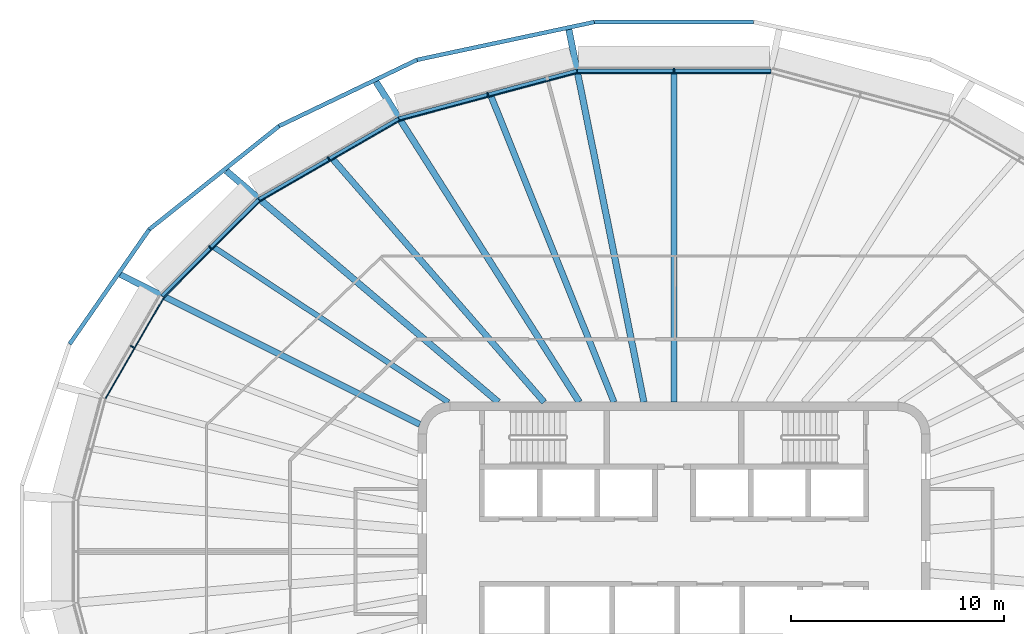
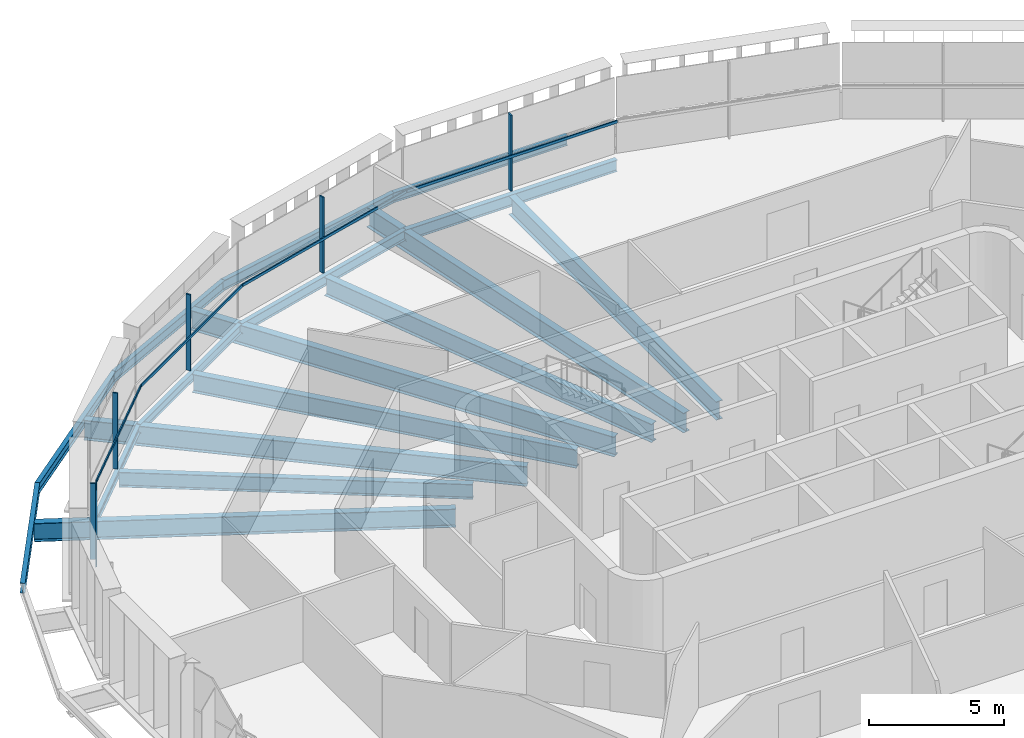
# One storey, part 5 of 17: 17 beams, 10 members, 5 elements without a shape of their own.
"""IFC4 building model written with IfcOpenShell, lengths in metres."""

from ifc_helpers import new_model, si_unit, direction, frame, origin, origin_2d, place, context, subcontext, project, spatial, rectangle, i_section, extrude, material, layer, layer_set, material_profile, profile_set, type_object, element, aggregate, save


model = new_model("IFC4")

# Units and contexts
model_context = context("Model", 3, precision=1e-05, world=origin(), true_north=direction((0.0, 1.0)))
body_context = subcontext(model_context, "Body", "Model", "MODEL_VIEW")
ifc_project = project(units=[si_unit("LENGTHUNIT", "METRE"), si_unit("AREAUNIT", "SQUARE_METRE"), si_unit("VOLUMEUNIT", "CUBIC_METRE"), si_unit("PLANEANGLEUNIT", "RADIAN"), si_unit("MASSUNIT", "GRAM", prefix="KILO")], contexts=[model_context])

# Site, building, storey
site_placement = place(None, origin())
site = spatial("IfcSite", under=ifc_project, at=site_placement, CompositionType="ELEMENT")
building_placement = place(site_placement, origin())
building = spatial("IfcBuilding", under=site, at=building_placement, Name="Sahrelin Media Tower", CompositionType="ELEMENT")
storey_placement = place(building_placement, frame((0.0, 0.0, 291.0)))
storey = spatial("IfcBuildingStorey", under=building, at=storey_placement, Name="L64", CompositionType="ELEMENT", Elevation=291.0)

# Beams
ifc_material_1 = material(Name="Steel S355", Category="steel")
ifc_material_profile_1 = material_profile(ifc_material_1, i_section(OverallWidth=0.17138671875, OverallDepth=0.35498046875, WebThickness=0.00732421875, FlangeThickness=0.011474609375, FilletRadius=0.01025390625, at=origin_2d()), Name="UB 356x171x51")
ifc_profile_set_1 = profile_set([ifc_material_profile_1], Name="Steel S355")
beam_type_1 = type_object("IfcBeamType", Name="Edge beam EB3", PredefinedType="BEAM", material=ifc_profile_set_1)
beam_1_placement = place(storey_placement, frame((-23.9794921875, 11.97705078125, -0.327392578125), z_axis=(0.707106781187, 0.707106781187, 0.0), x_axis=(-0.707106781187, 0.707106781187, 0.0)))
element("IfcBeam", 1, at=beam_1_placement, inside=storey, type_object=beam_type_1, Name="Edge beam L64-13", PredefinedType="BEAM", context=body_context, shape_type="SweptSolid", body=[
    extrude(i_section(OverallWidth=0.17138671875, OverallDepth=0.35498046875, WebThickness=0.00732421875, FlangeThickness=0.011474609375, FilletRadius=0.01025390625, at=origin_2d()), origin(), (0.0, 0.0, 1.0), 6.381103515625),
])
ifc_material_profile_2 = material_profile(ifc_material_1, i_section(OverallWidth=0.177978515625, OverallDepth=0.406494140625, WebThickness=0.0078125, FlangeThickness=0.0126953125, FilletRadius=0.01025390625, at=origin_2d()), Name="UB 406x178x60")
ifc_profile_set_2 = profile_set([ifc_material_profile_2], Name="Steel S355")
beam_type_2 = type_object("IfcBeamType", Name="Edge beam EB4", PredefinedType="BEAM", material=ifc_profile_set_2)
beam_2_placement = place(storey_placement, frame((-19.4443359375, 16.5068359375, -0.353271484375), z_axis=(0.866031418311, 0.499989582389, 0.0), x_axis=(-0.499989582389, 0.866031418311, 0.0)))
element("IfcBeam", 2, at=beam_2_placement, inside=storey, type_object=beam_type_2, Name="Edge beam L64-14", PredefinedType="BEAM", context=body_context, shape_type="SweptSolid", body=[
    extrude(i_section(OverallWidth=0.177978515625, OverallDepth=0.406494140625, WebThickness=0.0078125, FlangeThickness=0.0126953125, FilletRadius=0.01025390625, at=origin_2d()), origin(), (0.0, 0.0, 1.0), 7.542236328125),
])
ifc_material_profile_3 = material_profile(ifc_material_1, i_section(OverallWidth=0.1904296875, OverallDepth=0.45703125, WebThickness=0.009033203125, FlangeThickness=0.014404296875, FilletRadius=0.01025390625, at=origin_2d()), Name="UB 457x191x74")
ifc_profile_set_3 = profile_set([ifc_material_profile_3], Name="Steel S355")
beam_type_3 = type_object("IfcBeamType", Name="Edge beam EB5", PredefinedType="BEAM", material=ifc_profile_set_3)
beam_3_placement = place(storey_placement, frame((-12.885986328125, 20.288818359375, -0.37841796875), z_axis=(0.965926676494, 0.258815872073, 0.0), x_axis=(-0.258815872073, 0.965926676494, 0.0)))
element("IfcBeam", 3, at=beam_3_placement, inside=storey, type_object=beam_type_3, Name="Edge beam L64-15", PredefinedType="BEAM", context=body_context, shape_type="SweptSolid", body=[
    extrude(i_section(OverallWidth=0.1904296875, OverallDepth=0.45703125, WebThickness=0.009033203125, FlangeThickness=0.014404296875, FilletRadius=0.01025390625, at=origin_2d()), origin(), (0.0, 0.0, 1.0), 8.615966796875),
])
ifc_material_profile_4 = material_profile(ifc_material_1, i_section(OverallWidth=0.208740234375, OverallDepth=0.5283203125, WebThickness=0.009521484375, FlangeThickness=0.01318359375, FilletRadius=0.0126953125, at=origin_2d()), Name="UB 533x210x82")
ifc_profile_set_4 = profile_set([ifc_material_profile_4], Name="Steel S355")
beam_type_4 = type_object("IfcBeamType", Name="Edge beam EB6", PredefinedType="BEAM", material=ifc_profile_set_4)
beam_4_placement = place(storey_placement, frame((-4.534912109375, 22.522705078125, -0.4140625), z_axis=(1.0, 0.0, 0.0), x_axis=(0.0, 1.0, 0.0)))
element("IfcBeam", 4, at=beam_4_placement, inside=storey, type_object=beam_type_4, Name="Edge beam L64-16", PredefinedType="BEAM", context=body_context, shape_type="SweptSolid", body=[
    extrude(i_section(OverallWidth=0.208740234375, OverallDepth=0.5283203125, WebThickness=0.009521484375, FlangeThickness=0.01318359375, FilletRadius=0.0126953125, at=origin_2d()), origin(), (0.0, 0.0, 1.0), 9.06982421875),
])

# Curtain wall, member
ifc_material_2 = material(Name="Champagne anodised aluminium 6063-T6", Category="aluminium")
ifc_layer = layer(ifc_material_2, 0.14990234375)
ifc_layer_set = layer_set([ifc_layer], Name="Tower ribbon curtain wall")
curtain_wall_type = type_object("IfcCurtainWallType", Name="Tower ribbon curtain wall", PredefinedType="NOTDEFINED", material=ifc_layer_set)
curtain_wall_1_placement = place(storey_placement, frame((0.0, 22.672607421875, 0.0), z_axis=(0.0, 0.0, 1.0), x_axis=(1.0, 0.0, 0.0)))
curtain_wall_1 = element("IfcCurtainWall", 5, at=curtain_wall_1_placement, inside=storey, type_object=curtain_wall_type, Name="L64:CW:L64-06", PredefinedType="NOTDEFINED")
ifc_material_profile_5 = material_profile(ifc_material_2, rectangle(XDim=0.06005859375, YDim=0.199951171875, at=origin_2d()), Name="Mullion 60x200")
ifc_profile_set_5 = profile_set([ifc_material_profile_5], Name="Champagne anodised aluminium 6063-T6")
member_type_1 = type_object("IfcMemberType", Name="Mullion 60x200 CW1C", PredefinedType="MULLION", material=ifc_profile_set_5)
member_1_placement = place(storey_placement, frame((0.0, 22.552734375, 0.0), z_axis=(0.0, 0.0, 1.0), x_axis=(-1.0, 0.0, 0.0)))
member_1 = element("IfcMember", 6, at=member_1_placement, type_object=member_type_1, Name="L64:CWM:L64-06", PredefinedType="MULLION", context=body_context, shape_type="SweptSolid", body=[
    extrude(rectangle(XDim=0.06005859375, YDim=0.199951171875, at=origin_2d()), origin(), (0.0, 0.0, 1.0), 3.448486328125),
])

curtain_wall_2_placement = place(storey_placement, frame((-8.763427734375, 21.548828125, 0.0), z_axis=(0.0, 0.0, 1.0), x_axis=(1.0, 0.0, 0.0)))
curtain_wall_2 = element("IfcCurtainWall", 7, at=curtain_wall_2_placement, inside=storey, type_object=curtain_wall_type, Name="L64:CW:L64-07", PredefinedType="NOTDEFINED")
member_2_placement = place(storey_placement, frame((-8.732421875, 21.432861328125, 0.0), z_axis=(0.0, 0.0, 1.0), x_axis=(-0.965925826289, -0.258819045103, 0.0)))
member_2 = element("IfcMember", 8, at=member_2_placement, type_object=member_type_1, Name="L64:CWM:L64-07", PredefinedType="MULLION", context=body_context, shape_type="SweptSolid", body=[
    extrude(rectangle(XDim=0.06005859375, YDim=0.199951171875, at=origin_2d()), origin(), (0.0, 0.0, 1.0), 3.448486328125),
])

curtain_wall_3_placement = place(storey_placement, frame((-16.25341796875, 18.522216796875, 0.0), z_axis=(0.0, 0.0, 1.0), x_axis=(1.0, 0.0, 0.0)))
curtain_wall_3 = element("IfcCurtainWall", 9, at=curtain_wall_3_placement, inside=storey, type_object=curtain_wall_type, Name="L64:CW:L64-08", PredefinedType="NOTDEFINED")
member_3_placement = place(storey_placement, frame((-16.193603515625, 18.418212890625, 0.0), z_axis=(0.0, 0.0, 1.0), x_axis=(-0.866026276448, -0.4999984885, 0.0)))
member_3 = element("IfcMember", 10, at=member_3_placement, type_object=member_type_1, Name="L64:CWM:L64-08", PredefinedType="MULLION", context=body_context, shape_type="SweptSolid", body=[
    extrude(rectangle(XDim=0.06005859375, YDim=0.199951171875, at=origin_2d()), origin(), (0.0, 0.0, 1.0), 3.448486328125),
])

curtain_wall_4_placement = place(storey_placement, frame((-21.829345703125, 14.339111328125, 0.0), z_axis=(0.0, 0.0, 1.0), x_axis=(1.0, 0.0, 0.0)))
curtain_wall_4 = element("IfcCurtainWall", 11, at=curtain_wall_4_placement, inside=storey, type_object=curtain_wall_type, Name="L64:CW:L64-09", PredefinedType="NOTDEFINED")
member_4_placement = place(storey_placement, frame((-21.744384765625, 14.25439453125, 0.0), z_axis=(0.0, 0.0, 1.0), x_axis=(-0.707106781187, -0.707106781187, 0.0)))
member_4 = element("IfcMember", 12, at=member_4_placement, type_object=member_type_1, Name="L64:CWM:L64-09", PredefinedType="MULLION", context=body_context, shape_type="SweptSolid", body=[
    extrude(rectangle(XDim=0.06005859375, YDim=0.199951171875, at=origin_2d()), origin(), (0.0, 0.0, 1.0), 3.448486328125),
])

curtain_wall_5_placement = place(storey_placement, frame((-25.49658203125, 9.656494140625, 0.0), z_axis=(0.0, 0.0, 1.0), x_axis=(1.0, 0.0, 0.0)))
curtain_wall_5 = element("IfcCurtainWall", 13, at=curtain_wall_5_placement, inside=storey, type_object=curtain_wall_type, Name="L64:CW:L64-10", PredefinedType="NOTDEFINED")
member_5_placement = place(storey_placement, frame((-25.392822265625, 9.596435546875, 0.0), z_axis=(0.0, 0.0, 1.0), x_axis=(-0.500003022996, -0.86602365845, 0.0)))
member_5 = element("IfcMember", 14, at=member_5_placement, type_object=member_type_1, Name="L64:CWM:L64-10", PredefinedType="MULLION", context=body_context, shape_type="SweptSolid", body=[
    extrude(rectangle(XDim=0.06005859375, YDim=0.199951171875, at=origin_2d()), origin(), (0.0, 0.0, 1.0), 3.448486328125),
])

# Beams
ifc_material_profile_6 = material_profile(ifc_material_1, i_section(OverallWidth=0.291748046875, OverallDepth=0.8349609375, WebThickness=0.013916015625, FlangeThickness=0.018798828125, FilletRadius=0.017822265625, at=origin_2d()), Name="UB 838x292x176")
ifc_profile_set_6 = profile_set([ifc_material_profile_6], Name="Steel S355")
beam_type_5 = type_object("IfcBeamType", Name="Radial primary beam PB10", PredefinedType="BEAM", material=ifc_profile_set_6)
beam_5_placement = place(storey_placement, frame((-11.918701171875, 5.961181640625, -0.5673828125), z_axis=(-0.894364961322, 0.447338033214, 0.0), x_axis=(-0.447338033214, -0.894364961322, 0.0)))
element("IfcBeam", 15, at=beam_5_placement, inside=storey, type_object=beam_type_5, Name="Radial beam L64-10", PredefinedType="BEAM", context=body_context, shape_type="SweptSolid", body=[
    extrude(i_section(OverallWidth=0.291748046875, OverallDepth=0.8349609375, WebThickness=0.013916015625, FlangeThickness=0.018798828125, FilletRadius=0.017822265625, at=origin_2d()), origin(), (0.0, 0.0, 1.0), 15.695068359375),
])
ifc_material_profile_7 = material_profile(ifc_material_1, i_section(OverallWidth=0.30322265625, OverallDepth=0.903076171875, WebThickness=0.01513671875, FlangeThickness=0.020263671875, FilletRadius=0.01904296875, at=origin_2d()), Name="UB 914x305x201")
ifc_profile_set_7 = profile_set([ifc_material_profile_7], Name="Steel S355")
beam_type_6 = type_object("IfcBeamType", Name="Radial primary beam PB11", PredefinedType="BEAM", material=ifc_profile_set_7)
beam_6_placement = place(storey_placement, frame((-1.41064453125, 7.0, -0.6015625), z_axis=(-0.197562488047, 0.980290295431, 0.0), x_axis=(-0.980290295431, -0.197562488047, 0.0)))
element("IfcBeam", 16, at=beam_6_placement, inside=storey, type_object=beam_type_6, Name="Radial beam L64-07", PredefinedType="BEAM", context=body_context, shape_type="SweptSolid", body=[
    extrude(i_section(OverallWidth=0.30322265625, OverallDepth=0.903076171875, WebThickness=0.01513671875, FlangeThickness=0.020263671875, FilletRadius=0.01904296875, at=origin_2d()), origin(), (0.0, 0.0, 1.0), 17.818603515625),
])
beam_7_placement = place(storey_placement, frame((-4.44091796875, 7.0, -0.6015625), z_axis=(-0.535704376598, 0.844405602121, 0.0), x_axis=(-0.844405602121, -0.535704376598, 0.0)))
element("IfcBeam", 17, at=beam_7_placement, inside=storey, type_object=beam_type_6, Name="Radial beam L64-08", PredefinedType="BEAM", context=body_context, shape_type="SweptSolid", body=[
    extrude(i_section(OverallWidth=0.30322265625, OverallDepth=0.903076171875, WebThickness=0.01513671875, FlangeThickness=0.020263671875, FilletRadius=0.01904296875, at=origin_2d()), origin(), (0.0, 0.0, 1.0), 17.78662109375),
])
beam_8_placement = place(storey_placement, frame((-8.23388671875, 7.0, -0.6015625), z_axis=(-0.761882487724, 0.647715273017, 0.0), x_axis=(-0.647715273017, -0.761882487724, 0.0)))
element("IfcBeam", 18, at=beam_8_placement, inside=storey, type_object=beam_type_6, Name="Radial beam L64-09", PredefinedType="BEAM", context=body_context, shape_type="SweptSolid", body=[
    extrude(i_section(OverallWidth=0.30322265625, OverallDepth=0.903076171875, WebThickness=0.01513671875, FlangeThickness=0.020263671875, FilletRadius=0.01904296875, at=origin_2d()), origin(), (0.0, 0.0, 1.0), 16.748291015625),
])
ifc_material_profile_8 = material_profile(ifc_material_1, i_section(OverallWidth=0.291748046875, OverallDepth=0.8349609375, WebThickness=0.013916015625, FlangeThickness=0.018798828125, FilletRadius=0.017822265625, at=origin_2d()), Name="UB 838x292x176")
ifc_profile_set_8 = profile_set([ifc_material_profile_8], Name="Steel S355")
beam_type_7 = type_object("IfcBeamType", Name="Radial secondary beam SB10", PredefinedType="BEAM", material=ifc_profile_set_8)
beam_9_placement = place(storey_placement, frame((0.0, 7.0, -0.5673828125), z_axis=(0.0, 1.0, 0.0), x_axis=(-1.0, 0.0, 0.0)))
element("IfcBeam", 19, at=beam_9_placement, inside=storey, type_object=beam_type_7, Name="Secondary beam L64-05", PredefinedType="BEAM", context=body_context, shape_type="SweptSolid", body=[
    extrude(i_section(OverallWidth=0.291748046875, OverallDepth=0.8349609375, WebThickness=0.013916015625, FlangeThickness=0.018798828125, FilletRadius=0.017822265625, at=origin_2d()), origin(), (0.0, 0.0, 1.0), 15.418212890625),
])
beam_10_placement = place(storey_placement, frame((-2.81298828125, 7.0, -0.5673828125), z_axis=(-0.372868678366, 0.927884124605, 0.0), x_axis=(-0.927884124605, -0.372868678366, 0.0)))
element("IfcBeam", 20, at=beam_10_placement, inside=storey, type_object=beam_type_7, Name="Secondary beam L64-06", PredefinedType="BEAM", context=body_context, shape_type="SweptSolid", body=[
    extrude(i_section(OverallWidth=0.291748046875, OverallDepth=0.8349609375, WebThickness=0.013916015625, FlangeThickness=0.018798828125, FilletRadius=0.017822265625, at=origin_2d()), origin(), (0.0, 0.0, 1.0), 15.459716796875),
])
beam_11_placement = place(storey_placement, frame((-6.08740234375, 7.0, -0.5673828125), z_axis=(-0.656204331857, 0.754583245806, 0.0), x_axis=(-0.754583245806, -0.656204331857, 0.0)))
element("IfcBeam", 21, at=beam_11_placement, inside=storey, type_object=beam_type_7, Name="Secondary beam L64-07", PredefinedType="BEAM", context=body_context, shape_type="SweptSolid", body=[
    extrude(i_section(OverallWidth=0.291748046875, OverallDepth=0.8349609375, WebThickness=0.013916015625, FlangeThickness=0.018798828125, FilletRadius=0.017822265625, at=origin_2d()), origin(), (0.0, 0.0, 1.0), 15.100830078125),
])
ifc_material_profile_9 = material_profile(ifc_material_1, i_section(OverallWidth=0.2529296875, OverallDepth=0.677978515625, WebThickness=0.01171875, FlangeThickness=0.01611328125, FilletRadius=0.01513671875, at=origin_2d()), Name="UB 686x254x125")
ifc_profile_set_9 = profile_set([ifc_material_profile_9], Name="Steel S355")
beam_type_8 = type_object("IfcBeamType", Name="Radial secondary beam SB8", PredefinedType="BEAM", material=ifc_profile_set_9)
beam_12_placement = place(storey_placement, frame((-10.572998046875, 6.990478515625, -0.489013671875), z_axis=(-0.834171966274, 0.551504424899, 0.0), x_axis=(-0.551504424899, -0.834171966274, 0.0)))
element("IfcBeam", 22, at=beam_12_placement, inside=storey, type_object=beam_type_8, Name="Secondary beam L64-08", PredefinedType="BEAM", context=body_context, shape_type="SweptSolid", body=[
    extrude(i_section(OverallWidth=0.2529296875, OverallDepth=0.677978515625, WebThickness=0.01171875, FlangeThickness=0.01611328125, FilletRadius=0.01513671875, at=origin_2d()), origin(), (0.0, 0.0, 1.0), 13.18603515625),
])
ifc_material_profile_10 = material_profile(ifc_material_1, i_section(OverallWidth=0.1904296875, OverallDepth=0.45703125, WebThickness=0.009033203125, FlangeThickness=0.014404296875, FilletRadius=0.01025390625, at=origin_2d()), Name="UB 457x191x74")
ifc_profile_set_10 = profile_set([ifc_material_profile_10], Name="Steel S355")
beam_type_9 = type_object("IfcBeamType", Name="Tie chord TC5", PredefinedType="BEAM", material=ifc_profile_set_10)
beam_13_placement = place(storey_placement, frame((3.7333984375, 24.8203125, -0.37841796875), z_axis=(-1.0, 0.0, 0.0), x_axis=(0.0, -1.0, 0.0)))
element("IfcBeam", 23, at=beam_13_placement, inside=storey, type_object=beam_type_9, Name="Tie chord L64-06", PredefinedType="BEAM", context=body_context, shape_type="SweptSolid", body=[
    extrude(i_section(OverallWidth=0.1904296875, OverallDepth=0.45703125, WebThickness=0.009033203125, FlangeThickness=0.014404296875, FilletRadius=0.01025390625, at=origin_2d()), origin(), (0.0, 0.0, 1.0), 7.466796875),
])
beam_14_placement = place(storey_placement, frame((-3.7333984375, 24.8203125, -0.37841796875), z_axis=(-0.977981898463, -0.208689736877, 0.0), x_axis=(0.208689736877, -0.977981898463, 0.0)))
element("IfcBeam", 24, at=beam_14_placement, inside=storey, type_object=beam_type_9, Name="Tie chord L64-07", PredefinedType="BEAM", context=body_context, shape_type="SweptSolid", body=[
    extrude(i_section(OverallWidth=0.1904296875, OverallDepth=0.45703125, WebThickness=0.009033203125, FlangeThickness=0.014404296875, FilletRadius=0.01025390625, at=origin_2d()), origin(), (0.0, 0.0, 1.0), 8.502685546875),
])
beam_15_placement = place(storey_placement, frame((-12.048828125, 23.0458984375, -0.37841796875), z_axis=(-0.901632989359, -0.432501968202, 0.0), x_axis=(0.432501968202, -0.901632989359, 0.0)))
element("IfcBeam", 25, at=beam_15_placement, inside=storey, type_object=beam_type_9, Name="Tie chord L64-08", PredefinedType="BEAM", context=body_context, shape_type="SweptSolid", body=[
    extrude(i_section(OverallWidth=0.1904296875, OverallDepth=0.45703125, WebThickness=0.009033203125, FlangeThickness=0.014404296875, FilletRadius=0.01025390625, at=origin_2d()), origin(), (0.0, 0.0, 1.0), 7.171875),
])
beam_16_placement = place(storey_placement, frame((-18.51513671875, 19.944091796875, -0.37841796875), z_axis=(-0.782262590975, -0.622948825154, 0.0), x_axis=(0.622948825154, -0.782262590975, 0.0)))
element("IfcBeam", 26, at=beam_16_placement, inside=storey, type_object=beam_type_9, Name="Tie chord L64-09", PredefinedType="BEAM", context=body_context, shape_type="SweptSolid", body=[
    extrude(i_section(OverallWidth=0.1904296875, OverallDepth=0.45703125, WebThickness=0.009033203125, FlangeThickness=0.014404296875, FilletRadius=0.01025390625, at=origin_2d()), origin(), (0.0, 0.0, 1.0), 7.78173828125),
])
beam_17_placement = place(storey_placement, frame((-24.6025390625, 15.096435546875, -0.37841796875), z_axis=(-0.570606286012, -0.821223761446, 0.0), x_axis=(0.821223761446, -0.570606286012, 0.0)))
element("IfcBeam", 27, at=beam_17_placement, inside=storey, type_object=beam_type_9, Name="Tie chord L64-10", PredefinedType="BEAM", context=body_context, shape_type="SweptSolid", body=[
    extrude(i_section(OverallWidth=0.1904296875, OverallDepth=0.45703125, WebThickness=0.009033203125, FlangeThickness=0.014404296875, FilletRadius=0.01025390625, at=origin_2d()), origin(), (0.0, 0.0, 1.0), 6.54248046875),
])

# Member
ifc_material_profile_11 = material_profile(ifc_material_2, rectangle(XDim=0.050048828125, YDim=0.1201171875, at=origin_2d()), Name="Transom 50x120")
ifc_profile_set_11 = profile_set([ifc_material_profile_11], Name="Champagne anodised aluminium 6063-T6")
member_type_2 = type_object("IfcMemberType", Name="Transom 50x120 CW1C", PredefinedType="USERDEFINED", material=ifc_profile_set_11)
member_6_placement = place(storey_placement, frame((4.51904296875, 22.427734375, 1.60009765625), z_axis=(-1.0, 0.0, 0.0), x_axis=(0.0, -1.0, 0.0)))
member_6 = element("IfcMember", 28, at=member_6_placement, type_object=member_type_2, Name="L64:CWT:L64-06", ObjectType="TRANSOM", PredefinedType="USERDEFINED", context=body_context, shape_type="SweptSolid", body=[
    extrude(rectangle(XDim=0.050048828125, YDim=0.1201171875, at=origin_2d()), origin(), (0.0, 0.0, 1.0), 9.0380859375),
])

aggregate(curtain_wall_1, [member_1, member_6])

member_7_placement = place(storey_placement, frame((-4.553955078125, 22.423095703125, 1.60009765625), z_axis=(-0.965925074938, -0.258821849168, 0.0), x_axis=(0.258821849168, -0.965925074938, 0.0)))
member_7 = element("IfcMember", 29, at=member_7_placement, type_object=member_type_2, Name="L64:CWT:L64-07", ObjectType="TRANSOM", PredefinedType="USERDEFINED", context=body_context, shape_type="SweptSolid", body=[
    extrude(rectangle(XDim=0.050048828125, YDim=0.1201171875, at=origin_2d()), origin(), (0.0, 0.0, 1.0), 8.584716796875),
])

aggregate(curtain_wall_2, [member_2, member_7])

member_8_placement = place(storey_placement, frame((-12.87890625, 20.187744140625, 1.60009765625), z_axis=(-0.866022108301, -0.500005707901, 0.0), x_axis=(0.500005707901, -0.866022108301, 0.0)))
member_8 = element("IfcMember", 30, at=member_8_placement, type_object=member_type_2, Name="L64:CWT:L64-08", ObjectType="TRANSOM", PredefinedType="USERDEFINED", context=body_context, shape_type="SweptSolid", body=[
    extrude(rectangle(XDim=0.050048828125, YDim=0.1201171875, at=origin_2d()), origin(), (0.0, 0.0, 1.0), 7.5107421875),
])

aggregate(curtain_wall_3, [member_3, member_8])

member_9_placement = place(storey_placement, frame((-19.4111328125, 16.410888671875, 1.60009765625), z_axis=(-0.707106781187, -0.707106781187, 0.0), x_axis=(0.707106781187, -0.707106781187, 0.0)))
member_9 = element("IfcMember", 31, at=member_9_placement, type_object=member_type_2, Name="L64:CWT:L64-09", ObjectType="TRANSOM", PredefinedType="USERDEFINED", context=body_context, shape_type="SweptSolid", body=[
    extrude(rectangle(XDim=0.050048828125, YDim=0.1201171875, at=origin_2d()), origin(), (0.0, 0.0, 1.0), 6.349853515625),
])

aggregate(curtain_wall_4, [member_4, member_9])

member_10_placement = place(storey_placement, frame((-23.922607421875, 11.89306640625, 1.60009765625), z_axis=(-0.499990120084, -0.866031107881, 0.0), x_axis=(0.866031107881, -0.499990120084, 0.0)))
member_10 = element("IfcMember", 32, at=member_10_placement, type_object=member_type_2, Name="L64:CWT:L64-10", ObjectType="TRANSOM", PredefinedType="USERDEFINED", context=body_context, shape_type="SweptSolid", body=[
    extrude(rectangle(XDim=0.050048828125, YDim=0.1201171875, at=origin_2d()), origin(), (0.0, 0.0, 1.0), 5.44775390625),
])

aggregate(curtain_wall_5, [member_5, member_10])

save(model, "model.ifc")
